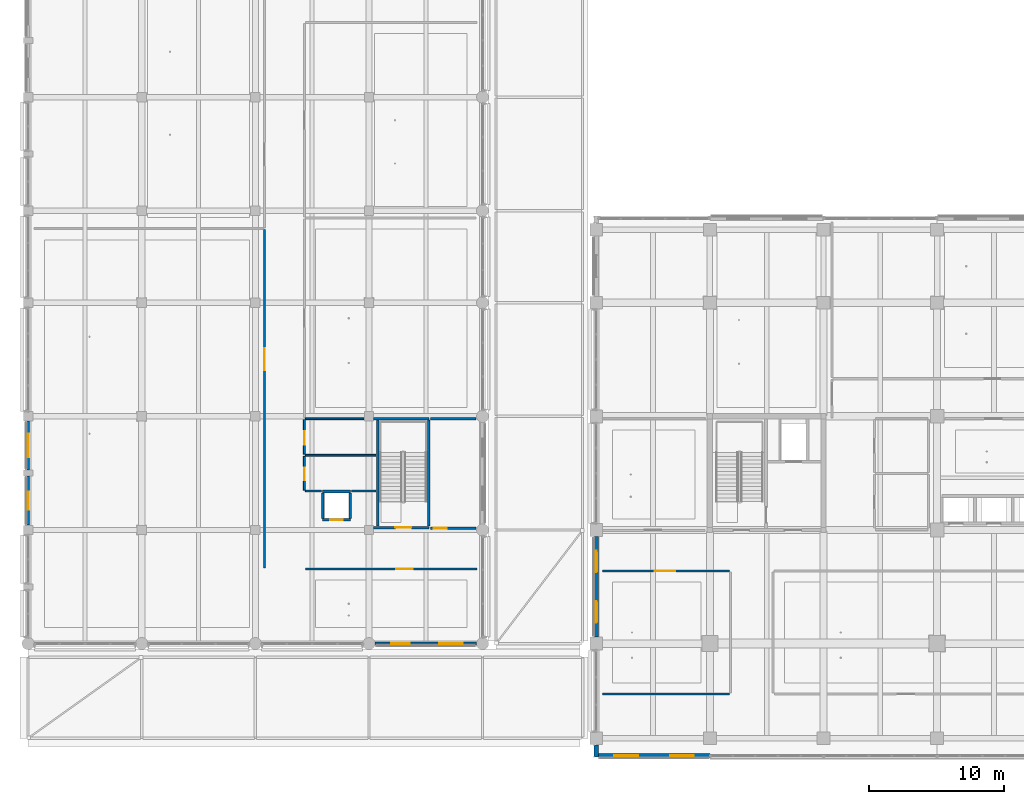
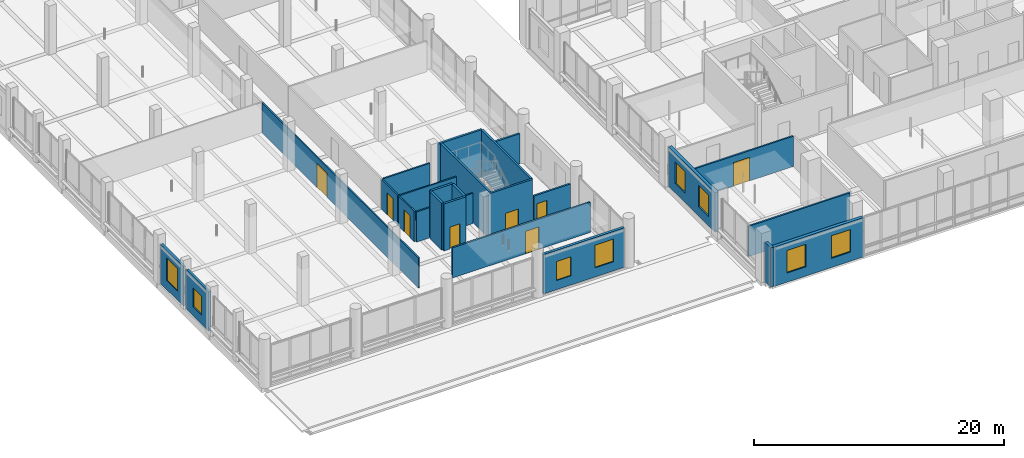
# One storey, part 52 of 128: 26 walls, 8 doors, 8 windows, 16 openings.
"""IFC4 building model written with IfcOpenShell, lengths in metres."""

from ifc_helpers import new_model, si_unit, direction, frame, frame_2d, origin, place, context, subcontext, project, spatial, rectangle, extrude, material, layer, layer_set, type_object, element, fill, save


model = new_model("IFC4")

# Units and contexts
model_context = context("Model", 3, precision=1e-05, world=origin(), true_north=direction((0.0, 1.0)))
body_context = subcontext(model_context, "Body", "Model", "MODEL_VIEW")
ifc_project = project(units=[si_unit("LENGTHUNIT", "METRE"), si_unit("AREAUNIT", "SQUARE_METRE"), si_unit("VOLUMEUNIT", "CUBIC_METRE"), si_unit("PLANEANGLEUNIT", "RADIAN"), si_unit("MASSUNIT", "GRAM", prefix="KILO")], contexts=[model_context])

# Site, building, storey
site_placement = place(None, origin())
site = spatial("IfcSite", under=ifc_project, at=site_placement, CompositionType="ELEMENT")
building_placement = place(site_placement, origin())
building = spatial("IfcBuilding", under=site, at=building_placement, Name="Telukmera Botanical Conservatory", CompositionType="ELEMENT")
storey_placement = place(building_placement, frame((0.0, 0.0, 5.39990234375)))
storey = spatial("IfcBuildingStorey", under=building, at=storey_placement, Name="L01", CompositionType="ELEMENT", Elevation=5.39990234375)

# Wall, openings, windows
ifc_material_1 = material(Name="Precast concrete C40/50", Category="concrete")
ifc_layer_1 = layer(ifc_material_1, 0.239990234375)
ifc_layer_set_1 = layer_set([ifc_layer_1], Name="Precast concrete C40/50")
wall_type_1 = type_object("IfcWallType", Name="Exterior Colonnade Recessed Precast Wall 240", PredefinedType="SOLIDWALL", material=ifc_layer_set_1)
wall_1_placement = place(storey_placement, frame((34.052001953125, 17.60009765625, 0.0), z_axis=(0.0, 0.0, 1.0), x_axis=(1.0, 0.0, 0.0)))
wall_1 = element("IfcWall", 1, at=wall_1_placement, inside=storey, type_object=wall_type_1, Name="Exterior Precast Wall EW05 V3:L01:S4", PredefinedType="SOLIDWALL", context=body_context, shape_type="SweptSolid", body=[
    extrude(rectangle(XDim=7.49609375, YDim=0.239990234375, at=frame_2d((3.748046875, 0.0))), origin(), (0.0, 0.0, 1.0), 3.85009765625),
])
opening_1_placement = place(wall_1_placement, frame((1.198974609375, 0.0, 0.89990234375)))
opening_1 = element("IfcOpeningElement", 2, at=opening_1_placement, cuts=wall_1, Name="Opening W05", PredefinedType="OPENING", context=body_context, shape_type="SweptSolid", body=[
    extrude(rectangle(XDim=1.35009765625, YDim=1.85009765625, at=frame_2d((0.675048828125, 0.925048828125))), frame((0.0, 0.1298828125, 0.0), z_axis=(0.0, -1.0, 0.0), x_axis=(1.0, 0.0, 0.0)), (0.0, 0.0, 1.0), 0.260009765625),
])
opening_2_placement = place(wall_1_placement, frame((4.7470703125, 0.0, 0.89990234375)))
opening_2 = element("IfcOpeningElement", 3, at=opening_2_placement, cuts=wall_1, Name="Opening W08", PredefinedType="OPENING", context=body_context, shape_type="SweptSolid", body=[
    extrude(rectangle(XDim=1.75, YDim=2.199951171875, at=frame_2d((0.875, 1.10009765625))), frame((0.0, 0.1298828125, 0.0), z_axis=(0.0, -1.0, 0.0), x_axis=(1.0, 0.0, 0.0)), (0.0, 0.0, 1.0), 0.260009765625),
])
ifc_material_2 = material(Name="Thermally broken anodised aluminium frame with low-E double glazing", Category="aluminium")
window_type_1 = type_object("IfcWindowType", Name="Double Vertical Casement Classroom Window 1350x1850", PartitioningType="DOUBLE_PANEL_VERTICAL", PredefinedType="WINDOW", material=ifc_material_2)
window_1_placement = place(opening_1_placement, origin())
window_1 = element("IfcWindow", 4, at=window_1_placement, inside=storey, type_object=window_type_1, Name="Facade Window W05 V3:L01:S4 1", OverallHeight=1.85009765625, OverallWidth=1.35009765625, PartitioningType="DOUBLE_PANEL_VERTICAL", PredefinedType="WINDOW", context=body_context, shape_type="SweptSolid", body=[
    extrude(rectangle(XDim=1.35009765625, YDim=1.85009765625, at=frame_2d((0.675048828125, 0.925048828125))), frame((0.0, 0.030029296875, 0.0), z_axis=(0.0, -1.0, 0.0), x_axis=(1.0, 0.0, 0.0)), (0.0, 0.0, 1.0), 0.06005859375),
])
fill(opening_1, window_1)
window_type_2 = type_object("IfcWindowType", Name="Double Vertical Library Reading Window 1750x2200", PartitioningType="DOUBLE_PANEL_VERTICAL", PredefinedType="WINDOW", material=ifc_material_2)
window_2_placement = place(opening_2_placement, origin())
window_2 = element("IfcWindow", 5, at=window_2_placement, inside=storey, type_object=window_type_2, Name="Facade Window W08 V3:L01:S4 2", OverallHeight=2.199951171875, OverallWidth=1.75, PartitioningType="DOUBLE_PANEL_VERTICAL", PredefinedType="WINDOW", context=body_context, shape_type="SweptSolid", body=[
    extrude(rectangle(XDim=1.75, YDim=2.199951171875, at=frame_2d((0.875, 1.10009765625))), frame((0.0, 0.030029296875, 0.0), z_axis=(0.0, -1.0, 0.0), x_axis=(1.0, 0.0, 0.0)), (0.0, 0.0, 1.0), 0.06005859375),
])
fill(opening_2, window_2)

# Wall
ifc_material_3 = material(Name="Terracotta-faced precast concrete C40/50", Category="masonry")
ifc_layer_2 = layer(ifc_material_3, 0.300048828125)
ifc_layer_set_2 = layer_set([ifc_layer_2], Name="Terracotta-faced precast concrete C40/50")
wall_type_2 = type_object("IfcWallType", Name="Exterior Polychrome Terracotta Precast Wall 300", PredefinedType="SOLIDWALL", material=ifc_layer_set_2)
wall_2_placement = place(storey_placement, frame((50.39990234375, 9.199951171875, 0.0), z_axis=(0.0, 0.0, 1.0), x_axis=(0.0, 1.0, 0.0)))
element("IfcWall", 6, at=wall_2_placement, inside=storey, type_object=wall_type_2, Name="Exterior Precast Wall EW02 V4:L01:SWC", PredefinedType="SOLIDWALL", context=body_context, shape_type="SweptSolid", body=[
    extrude(rectangle(XDim=0.923095703125, YDim=0.300048828125, at=frame_2d((0.46142578125, 0.0))), origin(), (0.0, 0.0, 1.0), 3.85009765625),
])

# Wall, openings, windows
wall_3_placement = place(storey_placement, frame((50.552001953125, 9.320068359375, 0.0), z_axis=(0.0, 0.0, 1.0), x_axis=(1.0, 0.0, 0.0)))
wall_3 = element("IfcWall", 7, at=wall_3_placement, inside=storey, type_object=wall_type_2, Name="Exterior Precast Wall EW02 V4:L01:S1", PredefinedType="SOLIDWALL", context=body_context, shape_type="SweptSolid", body=[
    extrude(rectangle(XDim=8.24609375, YDim=0.300048828125, at=frame_2d((4.123046875, 0.0))), origin(), (0.0, 0.0, 1.0), 3.85009765625),
])
opening_3_placement = place(wall_3_placement, frame((1.1865234375, 0.0, 0.89990234375)))
opening_3 = element("IfcOpeningElement", 8, at=opening_3_placement, cuts=wall_3, Name="Opening W08", PredefinedType="OPENING", context=body_context, shape_type="SweptSolid", body=[
    extrude(rectangle(XDim=1.75, YDim=2.199951171875, at=frame_2d((0.875, 1.10009765625))), frame((0.0, 0.159912109375, 0.0), z_axis=(0.0, -1.0, 0.0), x_axis=(1.0, 0.0, 0.0)), (0.0, 0.0, 1.0), 0.320068359375),
])
opening_4_placement = place(wall_3_placement, frame((5.3095703125, 0.0, 0.89990234375)))
opening_4 = element("IfcOpeningElement", 9, at=opening_4_placement, cuts=wall_3, Name="Opening W08", PredefinedType="OPENING", context=body_context, shape_type="SweptSolid", body=[
    extrude(rectangle(XDim=1.75, YDim=2.199951171875, at=frame_2d((0.875, 1.10009765625))), frame((0.0, 0.159912109375, 0.0), z_axis=(0.0, -1.0, 0.0), x_axis=(1.0, 0.0, 0.0)), (0.0, 0.0, 1.0), 0.320068359375),
])
window_3_placement = place(opening_3_placement, origin())
window_3 = element("IfcWindow", 10, at=window_3_placement, inside=storey, type_object=window_type_2, Name="Facade Window W08 V4:L01:S1 1", OverallHeight=2.199951171875, OverallWidth=1.75, PartitioningType="DOUBLE_PANEL_VERTICAL", PredefinedType="WINDOW", context=body_context, shape_type="SweptSolid", body=[
    extrude(rectangle(XDim=1.75, YDim=2.199951171875, at=frame_2d((0.875, 1.10009765625))), frame((0.0, 0.030029296875, 0.0), z_axis=(0.0, -1.0, 0.0), x_axis=(1.0, 0.0, 0.0)), (0.0, 0.0, 1.0), 0.06005859375),
])
fill(opening_3, window_3)
window_4_placement = place(opening_4_placement, origin())
window_4 = element("IfcWindow", 11, at=window_4_placement, inside=storey, type_object=window_type_2, Name="Facade Window W08 V4:L01:S1 2", OverallHeight=2.199951171875, OverallWidth=1.75, PartitioningType="DOUBLE_PANEL_VERTICAL", PredefinedType="WINDOW", context=body_context, shape_type="SweptSolid", body=[
    extrude(rectangle(XDim=1.75, YDim=2.199951171875, at=frame_2d((0.875, 1.10009765625))), frame((0.0, 0.030029296875, 0.0), z_axis=(0.0, -1.0, 0.0), x_axis=(1.0, 0.0, 0.0)), (0.0, 0.0, 1.0), 0.06005859375),
])
fill(opening_4, window_4)

wall_4_placement = place(storey_placement, frame((50.39990234375, 18.076904296875, 0.0), z_axis=(0.0, 0.0, 1.0), x_axis=(0.0, 1.0, 0.0)))
wall_4 = element("IfcWall", 12, at=wall_4_placement, inside=storey, type_object=wall_type_2, Name="Exterior Precast Wall EW02 V4:L01:W2", PredefinedType="SOLIDWALL", context=body_context, shape_type="SweptSolid", body=[
    extrude(rectangle(XDim=7.446044921875, YDim=0.300048828125, at=frame_2d((3.72314453125, 0.0))), origin(), (0.0, 0.0, 1.0), 3.85009765625),
])
opening_5_placement = place(wall_4_placement, frame((1.0615234375, 0.0, 0.89990234375)))
opening_5 = element("IfcOpeningElement", 13, at=opening_5_placement, cuts=wall_4, Name="Opening W07", PredefinedType="OPENING", context=body_context, shape_type="SweptSolid", body=[
    extrude(rectangle(XDim=1.60009765625, YDim=2.10009765625, at=frame_2d((0.800048828125, 1.050048828125))), frame((0.0, 0.159912109375, 0.0), z_axis=(0.0, -1.0, 0.0), x_axis=(1.0, 0.0, 0.0)), (0.0, 0.0, 1.0), 0.320068359375),
])
opening_6_placement = place(wall_4_placement, frame((4.784423828125, 0.0, 0.89990234375)))
opening_6 = element("IfcOpeningElement", 14, at=opening_6_placement, cuts=wall_4, Name="Opening W07", PredefinedType="OPENING", context=body_context, shape_type="SweptSolid", body=[
    extrude(rectangle(XDim=1.60009765625, YDim=2.10009765625, at=frame_2d((0.800048828125, 1.050048828125))), frame((0.0, 0.159912109375, 0.0), z_axis=(0.0, -1.0, 0.0), x_axis=(1.0, 0.0, 0.0)), (0.0, 0.0, 1.0), 0.320068359375),
])
window_type_3 = type_object("IfcWindowType", Name="Double Vertical Curation Study Window 1600x2100", PartitioningType="DOUBLE_PANEL_VERTICAL", PredefinedType="WINDOW", material=ifc_material_2)
window_5_placement = place(opening_5_placement, origin())
window_5 = element("IfcWindow", 15, at=window_5_placement, inside=storey, type_object=window_type_3, Name="Facade Window W07 V4:L01:W2 1", OverallHeight=2.10009765625, OverallWidth=1.60009765625, PartitioningType="DOUBLE_PANEL_VERTICAL", PredefinedType="WINDOW", context=body_context, shape_type="SweptSolid", body=[
    extrude(rectangle(XDim=1.60009765625, YDim=2.10009765625, at=frame_2d((0.800048828125, 1.050048828125))), frame((0.0, 0.030029296875, 0.0), z_axis=(0.0, -1.0, 0.0), x_axis=(1.0, 0.0, 0.0)), (0.0, 0.0, 1.0), 0.06005859375),
])
fill(opening_5, window_5)
window_6_placement = place(opening_6_placement, origin())
window_6 = element("IfcWindow", 16, at=window_6_placement, inside=storey, type_object=window_type_3, Name="Facade Window W07 V4:L01:W2 2", OverallHeight=2.10009765625, OverallWidth=1.60009765625, PartitioningType="DOUBLE_PANEL_VERTICAL", PredefinedType="WINDOW", context=body_context, shape_type="SweptSolid", body=[
    extrude(rectangle(XDim=1.60009765625, YDim=2.10009765625, at=frame_2d((0.800048828125, 1.050048828125))), frame((0.0, 0.030029296875, 0.0), z_axis=(0.0, -1.0, 0.0), x_axis=(1.0, 0.0, 0.0)), (0.0, 0.0, 1.0), 0.06005859375),
])
fill(opening_6, window_6)

# Wall, opening, window
ifc_layer_3 = layer(ifc_material_3, 0.219970703125)
ifc_layer_set_3 = layer_set([ifc_layer_3], Name="Terracotta-faced precast concrete C40/50")
wall_type_3 = type_object("IfcWallType", Name="Exterior Terracotta Rainscreen Cladding Wall 220", PredefinedType="USERDEFINED", material=ifc_layer_set_3)
wall_5_placement = place(storey_placement, frame((8.39990234375, 26.35205078125, 0.0), z_axis=(0.0, 0.0, 1.0), x_axis=(0.0, 1.0, 0.0)))
wall_5 = element("IfcWall", 17, at=wall_5_placement, inside=storey, type_object=wall_type_3, Name="Exterior Precast Wall EW07 V3:L01:W2A", ObjectType="CLADDING", PredefinedType="USERDEFINED", context=body_context, shape_type="SweptSolid", body=[
    extrude(rectangle(XDim=3.620849609375, YDim=0.219970703125, at=frame_2d((1.810546875, 0.0))), origin(), (0.0, 0.0, 1.0), 3.85009765625),
])
opening_7_placement = place(wall_5_placement, frame((1.135498046875, 0.0, 0.89990234375)))
opening_7 = element("IfcOpeningElement", 18, at=opening_7_placement, cuts=wall_5, Name="Opening W05", PredefinedType="OPENING", context=body_context, shape_type="SweptSolid", body=[
    extrude(rectangle(XDim=1.35009765625, YDim=1.85009765625, at=frame_2d((0.675048828125, 0.925048828125))), frame((0.0, 0.119873046875, 0.0), z_axis=(0.0, -1.0, 0.0), x_axis=(1.0, 0.0, 0.0)), (0.0, 0.0, 1.0), 0.239990234375),
])
window_7_placement = place(opening_7_placement, origin())
window_7 = element("IfcWindow", 19, at=window_7_placement, inside=storey, type_object=window_type_1, Name="Facade Window W05 V3:L01:W2A", OverallHeight=1.85009765625, OverallWidth=1.35009765625, PartitioningType="DOUBLE_PANEL_VERTICAL", PredefinedType="WINDOW", context=body_context, shape_type="SweptSolid", body=[
    extrude(rectangle(XDim=1.35009765625, YDim=1.85009765625, at=frame_2d((0.675048828125, 0.925048828125))), frame((0.0, 0.030029296875, 0.0), z_axis=(0.0, -1.0, 0.0), x_axis=(1.0, 0.0, 0.0)), (0.0, 0.0, 1.0), 0.06005859375),
])
fill(opening_7, window_7)

wall_6_placement = place(storey_placement, frame((8.39990234375, 30.427001953125, 0.0), z_axis=(0.0, 0.0, 1.0), x_axis=(0.0, 1.0, 0.0)))
wall_6 = element("IfcWall", 20, at=wall_6_placement, inside=storey, type_object=wall_type_3, Name="Exterior Precast Wall EW07 V3:L01:W2B", ObjectType="CLADDING", PredefinedType="USERDEFINED", context=body_context, shape_type="SweptSolid", body=[
    extrude(rectangle(XDim=3.62109375, YDim=0.219970703125, at=frame_2d((1.810546875, 0.0))), origin(), (0.0, 0.0, 1.0), 3.85009765625),
])
opening_8_placement = place(wall_6_placement, frame((0.935546875, 0.0, 0.89990234375)))
opening_8 = element("IfcOpeningElement", 21, at=opening_8_placement, cuts=wall_6, Name="Opening W08", PredefinedType="OPENING", context=body_context, shape_type="SweptSolid", body=[
    extrude(rectangle(XDim=1.75, YDim=2.199951171875, at=frame_2d((0.875, 1.10009765625))), frame((0.0, 0.119873046875, 0.0), z_axis=(0.0, -1.0, 0.0), x_axis=(1.0, 0.0, 0.0)), (0.0, 0.0, 1.0), 0.239990234375),
])
window_8_placement = place(opening_8_placement, origin())
window_8 = element("IfcWindow", 22, at=window_8_placement, inside=storey, type_object=window_type_2, Name="Facade Window W08 V3:L01:W2B", OverallHeight=2.199951171875, OverallWidth=1.75, PartitioningType="DOUBLE_PANEL_VERTICAL", PredefinedType="WINDOW", context=body_context, shape_type="SweptSolid", body=[
    extrude(rectangle(XDim=1.75, YDim=2.199951171875, at=frame_2d((0.875, 1.10009765625))), frame((0.0, 0.030029296875, 0.0), z_axis=(0.0, -1.0, 0.0), x_axis=(1.0, 0.0, 0.0)), (0.0, 0.0, 1.0), 0.06005859375),
])
fill(opening_8, window_8)

# Wall, opening, door
ifc_material_4 = material(Name="Concrete C40/50", Category="concrete")
ifc_layer_4 = layer(ifc_material_4, 0.199951171875)
ifc_layer_set_4 = layer_set([ifc_layer_4], Name="Concrete C40/50")
wall_type_4 = type_object("IfcWallType", Name="WT-CORE-200", PredefinedType="SOLIDWALL", material=ifc_layer_set_4)
wall_7_placement = place(storey_placement, frame((30.179931640625, 26.75, 0.0), z_axis=(0.0, 0.0, 1.0), x_axis=(1.0, 0.0, 0.0)))
wall_7 = element("IfcWall", 23, at=wall_7_placement, inside=storey, type_object=wall_type_4, Name="L01 Lift VL1 Front Wall", PredefinedType="SOLIDWALL", context=body_context, shape_type="SweptSolid", body=[
    extrude(rectangle(XDim=2.0400390625, YDim=0.199951171875, at=frame_2d((1.02001953125, 0.0))), origin(), (0.0, 0.0, 1.0), 4.580078125),
])
opening_9_placement = place(wall_7_placement, frame((0.544921875, 0.0, 0.0)))
opening_9 = element("IfcOpeningElement", 24, at=opening_9_placement, cuts=wall_7, Name="Opening LD04", PredefinedType="OPENING", context=body_context, shape_type="SweptSolid", body=[
    extrude(rectangle(XDim=0.949951171875, YDim=2.14990234375, at=frame_2d((0.47509765625, 1.074951171875))), frame((0.0, 0.10986328125, 0.0), z_axis=(0.0, -1.0, 0.0), x_axis=(1.0, 0.0, 0.0)), (0.0, 0.0, 1.0), 0.219970703125),
])
ifc_material_5 = material(Name="Anodised aluminium and glass", Category="aluminium")
door_type_1 = type_object("IfcDoorType", Name="DT-LD04", OperationType="SLIDING_TO_LEFT", PredefinedType="DOOR", material=ifc_material_5)
door_1_placement = place(opening_9_placement, frame((0.949951171875, 0.0, 0.0), z_axis=(0.0, 0.0, 1.0), x_axis=(-1.0, 0.0, 0.0)))
door_1 = element("IfcDoor", 25, at=door_1_placement, inside=storey, type_object=door_type_1, Name="L01 Lift Landing Door VL1", OperationType="SLIDING_TO_LEFT", OverallHeight=2.14990234375, OverallWidth=0.949951171875, PredefinedType="DOOR", context=body_context, shape_type="SweptSolid", body=[
    extrude(rectangle(XDim=0.949951171875, YDim=2.14990234375, at=frame_2d((0.47509765625, 1.074951171875))), frame((0.0, 0.02490234375, 0.0), z_axis=(0.0, -1.0, 0.0), x_axis=(1.0, 0.0, 0.0)), (0.0, 0.0, 1.0), 0.050048828125),
])
fill(opening_9, door_1)

# Walls
wall_8_placement = place(storey_placement, frame((30.179931640625, 28.85009765625, 0.0), z_axis=(0.0, 0.0, 1.0), x_axis=(1.0, 0.0, 0.0)))
element("IfcWall", 26, at=wall_8_placement, inside=storey, type_object=wall_type_4, Name="L01 Lift VL1 Rear Wall", PredefinedType="SOLIDWALL", context=body_context, shape_type="SweptSolid", body=[
    extrude(rectangle(XDim=2.0400390625, YDim=0.199951171875, at=frame_2d((1.02001953125, 0.0))), origin(), (0.0, 0.0, 1.0), 4.580078125),
])
for number, where, z_axis, x_axis, name in (
    (27, (30.179931640625, 26.85009765625, 0.0), (0.0, 0.0, 1.0), (0.0, 1.0, 0.0), "L01 Lift VL1 W Wall"),
    (28, (32.219970703125, 26.85009765625, 0.0), (0.0, 0.0, 1.0), (0.0, 1.0, 0.0), "L01 Lift VL1 E Wall"),
):
    element("IfcWall", number, at=place(storey_placement, frame(where, z_axis=z_axis, x_axis=x_axis)), inside=storey, type_object=wall_type_4, Name=name, PredefinedType="SOLIDWALL", context=body_context, shape_type="SweptSolid", body=[
        extrude(rectangle(XDim=1.89990234375, YDim=0.199951171875, at=frame_2d((0.949951171875, 0.0))), origin(), (0.0, 0.0, 1.0), 4.580078125),
    ])

# Wall, opening, door
ifc_material_6 = material(Name="Aluminium framed acoustic glass", Category="aluminium")
ifc_layer_5 = layer(ifc_material_6, 0.1201171875)
ifc_layer_set_5 = layer_set([ifc_layer_5], Name="Aluminium framed acoustic glass")
wall_type_5 = type_object("IfcWallType", Name="WT-GLAZ-120", PredefinedType="PARTITIONING", material=ifc_layer_set_5)
wall_9_placement = place(storey_placement, frame((25.875, 23.199951171875, 0.0), z_axis=(0.0, 0.0, 1.0), x_axis=(0.0, 1.0, 0.0)))
wall_9 = element("IfcWall", 29, at=wall_9_placement, inside=storey, type_object=wall_type_5, Name="L01 Interior Partition 08", PredefinedType="PARTITIONING", context=body_context, shape_type="SweptSolid", body=[
    extrude(rectangle(XDim=25.0, YDim=0.1201171875, at=frame_2d((12.5, 0.0))), origin(), (0.0, 0.0, 1.0), 2.9501953125),
])
opening_10_placement = place(wall_9_placement, frame((14.61865234375, 0.0, 0.0)))
opening_10 = element("IfcOpeningElement", 30, at=opening_10_placement, cuts=wall_9, Name="Opening ID03", PredefinedType="OPENING", context=body_context, shape_type="SweptSolid", body=[
    extrude(rectangle(XDim=1.60009765625, YDim=2.35009765625, at=frame_2d((0.800048828125, 1.175048828125))), frame((0.0, 0.070068359375, 0.0), z_axis=(0.0, -1.0, 0.0), x_axis=(1.0, 0.0, 0.0)), (0.0, 0.0, 1.0), 0.14013671875),
])
ifc_material_7 = material(Name="Anodised aluminium glazed double door", Category="aluminium")
door_type_2 = type_object("IfcDoorType", Name="DT-GAL-160", OperationType="NOTDEFINED", PredefinedType="DOOR", material=ifc_material_7)
door_2_placement = place(opening_10_placement, origin())
door_2 = element("IfcDoor", 31, at=door_2_placement, inside=storey, type_object=door_type_2, Name="L01 Visitor Centre Exhibition Gallery Door", OperationType="SINGLE_SWING_RIGHT", OverallHeight=2.35009765625, OverallWidth=1.60009765625, PredefinedType="DOOR", context=body_context, shape_type="SweptSolid", body=[
    extrude(rectangle(XDim=1.60009765625, YDim=2.35009765625, at=frame_2d((0.800048828125, 1.175048828125))), frame((0.0, 0.02490234375, 0.0), z_axis=(0.0, -1.0, 0.0), x_axis=(1.0, 0.0, 0.0)), (0.0, 0.0, 1.0), 0.050048828125),
])
fill(opening_10, door_2)

ifc_material_8 = material(Name="Blockwork masonry", Category="masonry")
ifc_layer_6 = layer(ifc_material_8, 0.169921875)
ifc_layer_set_6 = layer_set([ifc_layer_6], Name="Blockwork masonry")
wall_type_6 = type_object("IfcWallType", Name="WT-PLANT-170", PredefinedType="PARTITIONING", material=ifc_layer_set_6)
wall_10_placement = place(storey_placement, frame((38.14990234375, 26.125, 0.0), z_axis=(0.0, 0.0, 1.0), x_axis=(1.0, 0.0, 0.0)))
wall_10 = element("IfcWall", 32, at=wall_10_placement, inside=storey, type_object=wall_type_6, Name="L01 Interior Partition 01", PredefinedType="PARTITIONING", context=body_context, shape_type="SweptSolid", body=[
    extrude(rectangle(XDim=3.3701171875, YDim=0.169921875, at=frame_2d((1.68505859375, 0.0))), origin(), (0.0, 0.0, 1.0), 2.9501953125),
])
opening_11_placement = place(wall_10_placement, frame((0.25, 0.0, 0.0)))
opening_11 = element("IfcOpeningElement", 33, at=opening_11_placement, cuts=wall_10, Name="Opening ID16", PredefinedType="OPENING", context=body_context, shape_type="SweptSolid", body=[
    extrude(rectangle(XDim=0.93994140625, YDim=2.10009765625, at=frame_2d((0.469970703125, 1.050048828125))), frame((0.0, 0.094970703125, 0.0), z_axis=(0.0, -1.0, 0.0), x_axis=(1.0, 0.0, 0.0)), (0.0, 0.0, 1.0), 0.18994140625),
])
ifc_material_9 = material(Name="Steel utility store fire door", Category="steel")
door_type_3 = type_object("IfcDoorType", Name="DT-STR-094", OperationType="NOTDEFINED", PredefinedType="DOOR", material=ifc_material_9)
door_3_placement = place(opening_11_placement, origin())
door_3 = element("IfcDoor", 34, at=door_3_placement, inside=storey, type_object=door_type_3, Name="L01 Cleaner Equipment Closet Door", OperationType="SINGLE_SWING_LEFT", OverallHeight=2.10009765625, OverallWidth=0.93994140625, PredefinedType="DOOR", context=body_context, shape_type="SweptSolid", body=[
    extrude(rectangle(XDim=0.93994140625, YDim=2.10009765625, at=frame_2d((0.469970703125, 1.050048828125))), frame((0.0, 0.02490234375, 0.0), z_axis=(0.0, -1.0, 0.0), x_axis=(1.0, 0.0, 0.0)), (0.0, 0.0, 1.0), 0.050048828125),
])
fill(opening_11, door_3)

# Wall
wall_11_placement = place(storey_placement, frame((38.14990234375, 34.22509765625, 0.0), z_axis=(0.0, 0.0, 1.0), x_axis=(1.0, 0.0, 0.0)))
element("IfcWall", 35, at=wall_11_placement, inside=storey, type_object=wall_type_6, Name="L01 Interior Partition 07", PredefinedType="PARTITIONING", context=body_context, shape_type="SweptSolid", body=[
    extrude(rectangle(XDim=3.3701171875, YDim=0.169921875, at=frame_2d((1.68505859375, 0.0))), origin(), (0.0, 0.0, 1.0), 2.9501953125),
])

# Wall, opening, door
ifc_layer_7 = layer(ifc_material_4, 0.18994140625)
ifc_layer_set_7 = layer_set([ifc_layer_7], Name="Concrete C40/50")
wall_type_7 = type_object("IfcWallType", Name="WT-STAIR-190", PredefinedType="SOLIDWALL", material=ifc_layer_set_7)
wall_12_placement = place(storey_placement, frame((33.949951171875, 26.179931640625, 0.0), z_axis=(0.0, 0.0, 1.0), x_axis=(1.0, 0.0, 0.0)))
wall_12 = element("IfcWall", 36, at=wall_12_placement, inside=storey, type_object=wall_type_7, Name="L01 Stair ST3 South Wall", PredefinedType="SOLIDWALL", context=body_context, shape_type="SweptSolid", body=[
    extrude(rectangle(XDim=4.080078125, YDim=0.18994140625, at=frame_2d((2.0400390625, 0.0))), origin(), (0.0, 0.0, 1.0), 4.580078125),
])
opening_12_placement = place(wall_12_placement, frame((1.60009765625, 0.0, 0.0)))
opening_12 = element("IfcOpeningElement", 37, at=opening_12_placement, cuts=wall_12, Name="Opening FD60D", PredefinedType="OPENING", context=body_context, shape_type="SweptSolid", body=[
    extrude(rectangle(XDim=1.179931640625, YDim=2.14990234375, at=frame_2d((0.58984375, 1.074951171875))), frame((0.0, 0.10498046875, 0.0), z_axis=(0.0, -1.0, 0.0), x_axis=(1.0, 0.0, 0.0)), (0.0, 0.0, 1.0), 0.2099609375),
])
ifc_material_10 = material(Name="Hardwood fire door", Category="wood")
door_type_4 = type_object("IfcDoorType", Name="DT-FD60-04", OperationType="NOTDEFINED", PredefinedType="DOOR", material=ifc_material_10)
door_4_placement = place(opening_12_placement, origin())
door_4 = element("IfcDoor", 38, at=door_4_placement, inside=storey, type_object=door_type_4, Name="L01 Stair ST3 Escape Door", OperationType="SINGLE_SWING_RIGHT", OverallHeight=2.14990234375, OverallWidth=1.179931640625, PredefinedType="DOOR", context=body_context, shape_type="SweptSolid", body=[
    extrude(rectangle(XDim=1.179931640625, YDim=2.14990234375, at=frame_2d((0.58984375, 1.074951171875))), frame((0.0, 0.02490234375, 0.0), z_axis=(0.0, -1.0, 0.0), x_axis=(1.0, 0.0, 0.0)), (0.0, 0.0, 1.0), 0.050048828125),
])
fill(opening_12, door_4)

# Walls
wall_13_placement = place(storey_placement, frame((33.949951171875, 34.219970703125, 0.0), z_axis=(0.0, 0.0, 1.0), x_axis=(1.0, 0.0, 0.0)))
element("IfcWall", 39, at=wall_13_placement, inside=storey, type_object=wall_type_7, Name="L01 Stair ST3 North Wall", PredefinedType="SOLIDWALL", context=body_context, shape_type="SweptSolid", body=[
    extrude(rectangle(XDim=4.080078125, YDim=0.18994140625, at=frame_2d((2.0400390625, 0.0))), origin(), (0.0, 0.0, 1.0), 4.580078125),
])
for number, where, z_axis, x_axis, name in (
    (40, (34.25, 26.280029296875, 0.0), (0.0, 0.0, 1.0), (0.0, 1.0, 0.0), "L01 Stair ST3 W Wall"),
    (41, (38.030029296875, 26.280029296875, 0.0), (0.0, 0.0, 1.0), (0.0, 1.0, 0.0), "L01 Stair ST3 E Wall"),
):
    element("IfcWall", number, at=place(storey_placement, frame(where, z_axis=z_axis, x_axis=x_axis)), inside=storey, type_object=wall_type_7, Name=name, PredefinedType="SOLIDWALL", context=body_context, shape_type="SweptSolid", body=[
        extrude(rectangle(XDim=7.840087890625, YDim=0.18994140625, at=frame_2d((3.919921875, 0.0))), origin(), (0.0, 0.0, 1.0), 4.580078125),
    ])

# Wall, opening, door
ifc_material_11 = material(Name="Gypsum acoustic stud partition")
ifc_layer_8 = layer(ifc_material_11, 0.14990234375)
ifc_layer_set_8 = layer_set([ifc_layer_8], Name="Gypsum acoustic stud partition")
wall_type_8 = type_object("IfcWallType", Name="WT-STD-150", PredefinedType="PARTITIONING", material=ifc_layer_set_8)
wall_14_placement = place(storey_placement, frame((28.89990234375, 23.125, 0.0), z_axis=(0.0, 0.0, 1.0), x_axis=(1.0, 0.0, 0.0)))
wall_14 = element("IfcWall", 42, at=wall_14_placement, inside=storey, type_object=wall_type_8, Name="L01 Interior Partition 02", PredefinedType="PARTITIONING", context=body_context, shape_type="SweptSolid", body=[
    extrude(rectangle(XDim=12.7001953125, YDim=0.14990234375, at=frame_2d((6.35009765625, 0.0))), origin(), (0.0, 0.0, 1.0), 2.9501953125),
])
opening_13_placement = place(wall_14_placement, frame((6.705810546875, 0.0, 0.0)))
opening_13 = element("IfcOpeningElement", 43, at=opening_13_placement, cuts=wall_14, Name="Opening ID08", PredefinedType="OPENING", context=body_context, shape_type="SweptSolid", body=[
    extrude(rectangle(XDim=1.239990234375, YDim=2.199951171875, at=frame_2d((0.6201171875, 1.10009765625))), frame((0.0, 0.0849609375, 0.0), z_axis=(0.0, -1.0, 0.0), x_axis=(1.0, 0.0, 0.0)), (0.0, 0.0, 1.0), 0.169921875),
])
ifc_material_12 = material(Name="Solid core hardwood classroom door", Category="wood")
door_type_5 = type_object("IfcDoorType", Name="DT-CLS-124", OperationType="NOTDEFINED", PredefinedType="DOOR", material=ifc_material_12)
door_5_placement = place(opening_13_placement, frame((1.239990234375, 0.0, 0.0), z_axis=(0.0, 0.0, 1.0), x_axis=(-1.0, 0.0, 0.0)))
door_5 = element("IfcDoor", 44, at=door_5_placement, inside=storey, type_object=door_type_5, Name="L01 Botanical Illustration Studio Door", OperationType="SINGLE_SWING_RIGHT", OverallHeight=2.199951171875, OverallWidth=1.239990234375, PredefinedType="DOOR", context=body_context, shape_type="SweptSolid", body=[
    extrude(rectangle(XDim=1.239990234375, YDim=2.199951171875, at=frame_2d((0.6201171875, 1.10009765625))), frame((0.0, 0.02490234375, 0.0), z_axis=(0.0, -1.0, 0.0), x_axis=(1.0, 0.0, 0.0)), (0.0, 0.0, 1.0), 0.050048828125),
])
fill(opening_13, door_5)

wall_15_placement = place(storey_placement, frame((50.85009765625, 22.97509765625, 0.0), z_axis=(0.0, 0.0, 1.0), x_axis=(1.0, 0.0, 0.0)))
wall_15 = element("IfcWall", 45, at=wall_15_placement, inside=storey, type_object=wall_type_8, Name="L01 Interior Partition 51", PredefinedType="PARTITIONING", context=body_context, shape_type="SweptSolid", body=[
    extrude(rectangle(XDim=9.39990234375, YDim=0.14990234375, at=frame_2d((4.699951171875, 0.0))), origin(), (0.0, 0.0, 1.0), 2.9501953125),
])
opening_14_placement = place(wall_15_placement, frame((3.87451171875, 0.0, 0.0)))
opening_14 = element("IfcOpeningElement", 46, at=opening_14_placement, cuts=wall_15, Name="Opening ID04", PredefinedType="OPENING", context=body_context, shape_type="SweptSolid", body=[
    extrude(rectangle(XDim=1.5, YDim=2.300048828125, at=frame_2d((0.75, 1.14990234375))), frame((0.0, 0.0849609375, 0.0), z_axis=(0.0, -1.0, 0.0), x_axis=(1.0, 0.0, 0.0)), (0.0, 0.0, 1.0), 0.169921875),
])
ifc_material_13 = material(Name="Teak framed acoustic glazed door")
door_type_6 = type_object("IfcDoorType", Name="DT-LIB-150", OperationType="NOTDEFINED", PredefinedType="DOOR", material=ifc_material_13)
door_6_placement = place(opening_14_placement, frame((1.5, 0.0, 0.0), z_axis=(0.0, 0.0, 1.0), x_axis=(-1.0, 0.0, 0.0)))
door_6 = element("IfcDoor", 47, at=door_6_placement, inside=storey, type_object=door_type_6, Name="L01 Botanical Reference Library Door", OperationType="SINGLE_SWING_RIGHT", OverallHeight=2.300048828125, OverallWidth=1.5, PredefinedType="DOOR", context=body_context, shape_type="SweptSolid", body=[
    extrude(rectangle(XDim=1.5, YDim=2.300048828125, at=frame_2d((0.75, 1.14990234375))), frame((0.0, 0.02490234375, 0.0), z_axis=(0.0, -1.0, 0.0), x_axis=(1.0, 0.0, 0.0)), (0.0, 0.0, 1.0), 0.050048828125),
])
fill(opening_14, door_6)

# Walls
wall_16_placement = place(storey_placement, frame((50.85009765625, 13.875, 0.0), z_axis=(0.0, 0.0, 1.0), x_axis=(1.0, 0.0, 0.0)))
element("IfcWall", 48, at=wall_16_placement, inside=storey, type_object=wall_type_8, Name="L01 Interior Partition 56", PredefinedType="PARTITIONING", context=body_context, shape_type="SweptSolid", body=[
    extrude(rectangle(XDim=9.389892578125, YDim=0.14990234375, at=frame_2d((4.69482421875, 0.0))), origin(), (0.0, 0.0, 1.0), 2.9501953125),
])
ifc_material_14 = material(Name="Moisture-resistant blockwork", Category="masonry")
ifc_layer_9 = layer(ifc_material_14, 0.135009765625)
ifc_layer_set_9 = layer_set([ifc_layer_9], Name="Moisture-resistant blockwork")
wall_type_9 = type_object("IfcWallType", Name="WT-WC-135", PredefinedType="PARTITIONING", material=ifc_layer_set_9)
wall_17_placement = place(storey_placement, frame((28.89990234375, 31.52490234375, 0.0), z_axis=(0.0, 0.0, 1.0), x_axis=(1.0, 0.0, 0.0)))
element("IfcWall", 49, at=wall_17_placement, inside=storey, type_object=wall_type_9, Name="L01 Interior Partition 03", PredefinedType="PARTITIONING", context=body_context, shape_type="SweptSolid", body=[
    extrude(rectangle(XDim=5.2001953125, YDim=0.135009765625, at=frame_2d((2.60009765625, 0.0))), origin(), (0.0, 0.0, 1.0), 2.9501953125),
])

# Wall, opening, door
wall_18_placement = place(storey_placement, frame((28.824951171875, 28.949951171875, 0.0), z_axis=(0.0, 0.0, 1.0), x_axis=(0.0, 1.0, 0.0)))
wall_18 = element("IfcWall", 50, at=wall_18_placement, inside=storey, type_object=wall_type_9, Name="L01 Interior Partition 04", PredefinedType="PARTITIONING", context=body_context, shape_type="SweptSolid", body=[
    extrude(rectangle(XDim=2.5, YDim=0.135009765625, at=frame_2d((1.25, 0.0))), origin(), (0.0, 0.0, 1.0), 2.9501953125),
])
opening_15_placement = place(wall_18_placement, frame((0.712890625, 0.0, 0.0)))
opening_15 = element("IfcOpeningElement", 51, at=opening_15_placement, cuts=wall_18, Name="Opening ID17", PredefinedType="OPENING", context=body_context, shape_type="SweptSolid", body=[
    extrude(rectangle(XDim=0.919921875, YDim=2.1201171875, at=frame_2d((0.4599609375, 1.06005859375))), frame((0.0, 0.077392578125, 0.0), z_axis=(0.0, -1.0, 0.0), x_axis=(1.0, 0.0, 0.0)), (0.0, 0.0, 1.0), 0.155029296875),
])
ifc_material_15 = material(Name="Moisture-resistant laminate WC door")
door_type_7 = type_object("IfcDoorType", Name="DT-WC-092", OperationType="NOTDEFINED", PredefinedType="DOOR", material=ifc_material_15)
door_7_placement = place(opening_15_placement, origin())
door_7 = element("IfcDoor", 52, at=door_7_placement, inside=storey, type_object=door_type_7, Name="L01 Public WC Door", OperationType="SINGLE_SWING_LEFT", OverallHeight=2.1201171875, OverallWidth=0.919921875, PredefinedType="DOOR", context=body_context, shape_type="SweptSolid", body=[
    extrude(rectangle(XDim=0.919921875, YDim=2.1201171875, at=frame_2d((0.4599609375, 1.06005859375))), frame((0.0, 0.02490234375, 0.0), z_axis=(0.0, -1.0, 0.0), x_axis=(1.0, 0.0, 0.0)), (0.0, 0.0, 1.0), 0.050048828125),
])
fill(opening_15, door_7)

wall_19_placement = place(storey_placement, frame((28.824951171875, 31.60009765625, 0.0), z_axis=(0.0, 0.0, 1.0), x_axis=(0.0, 1.0, 0.0)))
wall_19 = element("IfcWall", 53, at=wall_19_placement, inside=storey, type_object=wall_type_9, Name="L01 Interior Partition 05", PredefinedType="PARTITIONING", context=body_context, shape_type="SweptSolid", body=[
    extrude(rectangle(XDim=2.5498046875, YDim=0.135009765625, at=frame_2d((1.27490234375, 0.0))), origin(), (0.0, 0.0, 1.0), 2.9501953125),
])
opening_16_placement = place(wall_19_placement, frame((0.70849609375, 0.0, 0.0)))
opening_16 = element("IfcOpeningElement", 54, at=opening_16_placement, cuts=wall_19, Name="Opening ID15", PredefinedType="OPENING", context=body_context, shape_type="SweptSolid", body=[
    extrude(rectangle(XDim=0.97998046875, YDim=2.14990234375, at=frame_2d((0.489990234375, 1.074951171875))), frame((0.0, 0.077392578125, 0.0), z_axis=(0.0, -1.0, 0.0), x_axis=(1.0, 0.0, 0.0)), (0.0, 0.0, 1.0), 0.155029296875),
])
ifc_material_16 = material(Name="Accessible sanitary laminate door")
door_type_8 = type_object("IfcDoorType", Name="DT-OKU-098", OperationType="NOTDEFINED", PredefinedType="DOOR", material=ifc_material_16)
door_8_placement = place(opening_16_placement, origin())
door_8 = element("IfcDoor", 55, at=door_8_placement, inside=storey, type_object=door_type_8, Name="L01 Accessible WC Door", OperationType="SINGLE_SWING_RIGHT", OverallHeight=2.14990234375, OverallWidth=0.97998046875, PredefinedType="DOOR", context=body_context, shape_type="SweptSolid", body=[
    extrude(rectangle(XDim=0.97998046875, YDim=2.14990234375, at=frame_2d((0.489990234375, 1.074951171875))), frame((0.0, 0.02490234375, 0.0), z_axis=(0.0, -1.0, 0.0), x_axis=(1.0, 0.0, 0.0)), (0.0, 0.0, 1.0), 0.050048828125),
])
fill(opening_16, door_8)

# Walls
wall_20_placement = place(storey_placement, frame((28.89990234375, 34.22509765625, 0.0), z_axis=(0.0, 0.0, 1.0), x_axis=(1.0, 0.0, 0.0)))
element("IfcWall", 56, at=wall_20_placement, inside=storey, type_object=wall_type_9, Name="L01 Interior Partition 06", PredefinedType="PARTITIONING", context=body_context, shape_type="SweptSolid", body=[
    extrude(rectangle(XDim=4.320068359375, YDim=0.135009765625, at=frame_2d((2.16015625, 0.0))), origin(), (0.0, 0.0, 1.0), 2.9501953125),
])
wall_21_placement = place(storey_placement, frame((28.902587890625, 28.882568359375, 0.0), z_axis=(0.0, 0.0, 1.0), x_axis=(1.0, 0.0, 0.0)))
element("IfcWall", 57, at=wall_21_placement, inside=storey, type_object=wall_type_9, Name="L01 WC Enclosure Partition 01", PredefinedType="PARTITIONING", context=body_context, shape_type="SweptSolid", body=[
    extrude(rectangle(XDim=1.177490234375, YDim=0.135009765625, at=frame_2d((0.5888671875, 0.0))), origin(), (0.0, 0.0, 1.0), 2.9501953125),
])
wall_22_placement = place(storey_placement, frame((32.320068359375, 28.882568359375, 0.0), z_axis=(0.0, 0.0, 1.0), x_axis=(1.0, 0.0, 0.0)))
element("IfcWall", 58, at=wall_22_placement, inside=storey, type_object=wall_type_9, Name="L01 WC Enclosure Partition 02", PredefinedType="PARTITIONING", context=body_context, shape_type="SweptSolid", body=[
    extrude(rectangle(XDim=1.780029296875, YDim=0.135009765625, at=frame_2d((0.89013671875, 0.0))), origin(), (0.0, 0.0, 1.0), 2.9501953125),
])

save(model, "model.ifc")
